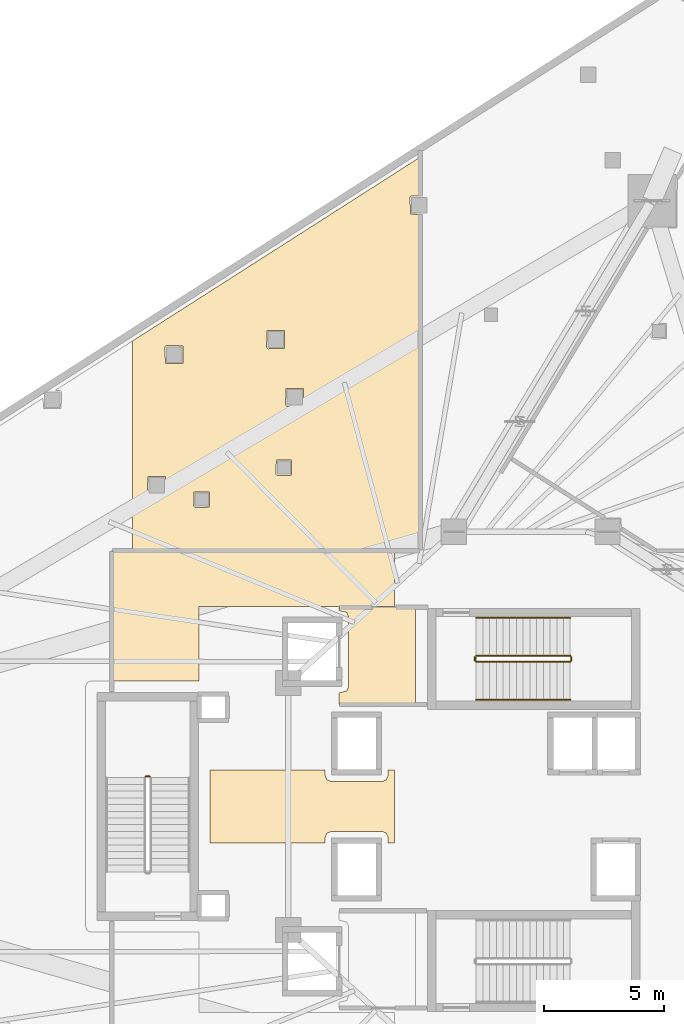
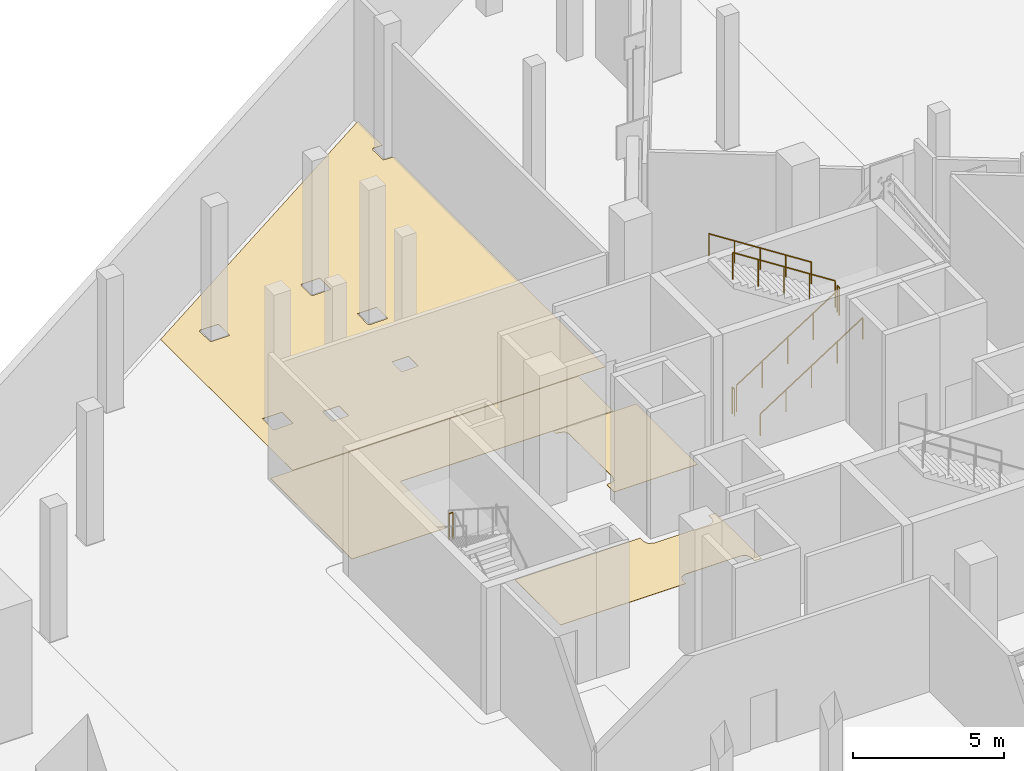
# One storey, part 11 of 12: 7 railings, 4 coverings.
"""IFC4 building model written with IfcOpenShell, lengths in metres."""

from ifc_helpers import new_model, si_unit, direction, frame, origin, origin_2d, place, context, subcontext, project, spatial, polyline, circle, outline, extrude, material, layer, layer_set, type_object, element, save


model = new_model("IFC4")

# Units and contexts
model_context = context("Model", 3, precision=1e-05, world=origin(), true_north=direction((0.0, 1.0)))
body_context = subcontext(model_context, "Body", "Model", "MODEL_VIEW")
ifc_project = project(units=[si_unit("LENGTHUNIT", "METRE"), si_unit("AREAUNIT", "SQUARE_METRE"), si_unit("VOLUMEUNIT", "CUBIC_METRE"), si_unit("PLANEANGLEUNIT", "RADIAN"), si_unit("MASSUNIT", "GRAM", prefix="KILO")], contexts=[model_context])

# Site, building, storey
site_placement = place(None, origin())
site = spatial("IfcSite", under=ifc_project, at=site_placement, CompositionType="ELEMENT")
building_placement = place(site_placement, origin())
building = spatial("IfcBuilding", under=site, at=building_placement, Name="Qorvath Tower", CompositionType="ELEMENT")
storey_placement = place(building_placement, frame((0.0, 0.0, 99.60009765625)))
storey = spatial("IfcBuildingStorey", under=building, at=storey_placement, Name="L22", CompositionType="ELEMENT", Elevation=99.60009765625)

# Coverings
ifc_material_1 = material(Name="Low-VOC modular carpet tile", Category="textile")
ifc_layer_1 = layer(ifc_material_1, 0.014892578125)
ifc_layer_set_1 = layer_set([ifc_layer_1], Name="COV-FLOOR-CPT")
covering_type_1 = type_object("IfcCoveringType", Name="COV-FLOOR-CPT", PredefinedType="FLOORING", material=ifc_layer_set_1)
covering_1_placement = place(storey_placement, origin())
element("IfcCovering", 1, at=covering_1_placement, inside=storey, type_object=covering_type_1, Name="L22 Floor Finish 008", PredefinedType="FLOORING", context=body_context, shape_type="SweptSolid", body=[
    extrude(outline(polyline([(-25.0048828125, 25.44384765625), (-25.0048828125, 27.061767578125), (-36.98681640625, 19.40380859375), (-36.98681640625, 10.6630859375), (-25.0048828125, 10.6630859375), (-25.0048828125, 24.673828125), (-25.405029296875, 24.69140625), (-25.422607421875, 25.3837890625), (-25.362548828125, 25.44384765625), (-25.0048828125, 25.44384765625)]), holes=[polyline([(-30.60986328125, 16.734619140625), (-30.59228515625, 17.427001953125), (-29.857421875, 17.427001953125), (-29.857421875, 16.692138671875), (-30.5498046875, 16.674560546875), (-30.60986328125, 16.734619140625)]), polyline([(-31.01220703125, 13.849365234375), (-30.99462890625, 14.441650390625), (-30.35986328125, 14.441650390625), (-30.35986328125, 13.806884765625), (-30.9521484375, 13.789306640625), (-31.01220703125, 13.849365234375)]), polyline([(-31.401123046875, 19.135498046875), (-31.383544921875, 19.827880859375), (-30.648681640625, 19.827880859375), (-30.648681640625, 19.093017578125), (-31.341064453125, 19.075439453125), (-31.401123046875, 19.135498046875)]), polyline([(-34.439208984375, 12.517578125), (-34.421630859375, 13.10986328125), (-33.786865234375, 13.10986328125), (-33.786865234375, 12.47509765625), (-34.379150390625, 12.45751953125), (-34.439208984375, 12.517578125)]), polyline([(-35.63671875, 19.154296875), (-35.57666015625, 19.21435546875), (-34.88427734375, 19.19677734375), (-34.88427734375, 18.4619140625), (-35.619140625, 18.4619140625), (-35.63671875, 19.154296875)]), polyline([(-36.36572265625, 13.055908203125), (-36.34814453125, 13.748291015625), (-35.61328125, 13.748291015625), (-35.61328125, 13.013427734375), (-36.3056640625, 12.995849609375), (-36.36572265625, 13.055908203125)])]), origin(), (0.0, 0.0, 1.0), 0.014892578125),
])
ifc_material_2 = material(Name="Polished epoxy terrazzo flooring", Category="concrete")
ifc_layer_2 = layer(ifc_material_2, 0.02001953125)
ifc_layer_set_2 = layer_set([ifc_layer_2], Name="COV-FLOOR-TRZ")
covering_type_2 = type_object("IfcCoveringType", Name="COV-FLOOR-TRZ", PredefinedType="FLOORING", material=ifc_layer_set_2)
covering_2_placement = place(storey_placement, origin())
element("IfcCovering", 2, at=covering_2_placement, inside=storey, type_object=covering_type_2, Name="L22 Floor Finish 001", PredefinedType="FLOORING", context=body_context, shape_type="SweptSolid", body=[
    extrude(outline(polyline([(-25.18994140625, 4.2548828125), (-25.18994140625, 8.294921875), (-28.375, 8.294921875), (-28.375, 8.159912109375), (-28.063232421875, 8.086669921875), (-27.989990234375, 7.909912109375), (-27.989990234375, 4.989990234375), (-28.063232421875, 4.813232421875), (-28.375, 4.739990234375), (-28.375, 4.2548828125), (-25.18994140625, 4.2548828125)])), origin(), (0.0, 0.0, 1.0), 0.014892578125),
])
covering_3_placement = place(storey_placement, origin())
element("IfcCovering", 3, at=covering_3_placement, inside=storey, type_object=covering_type_2, Name="L22 Floor Finish 004", PredefinedType="FLOORING", context=body_context, shape_type="SweptSolid", body=[
    extrude(outline(polyline([(-26.06494140625, 8.324951171875), (-26.06494140625, 10.64501953125), (-37.844970703125, 10.64501953125), (-37.844970703125, 5.239990234375), (-34.22509765625, 5.239990234375), (-34.219970703125, 8.324951171875), (-26.06494140625, 8.324951171875)])), origin(), (0.0, 0.0, 1.0), 0.014892578125),
])
covering_4_placement = place(storey_placement, origin())
element("IfcCovering", 4, at=covering_4_placement, inside=storey, type_object=covering_type_2, Name="L22 Floor Finish 005", PredefinedType="FLOORING", context=body_context, shape_type="SweptSolid", body=[
    extrude(outline(polyline([(-26.06494140625, -1.514892578125), (-26.06494140625, 1.514892578125), (-26.340087890625, 1.514892578125), (-26.340087890625, 1.2900390625), (-26.413330078125, 1.11328125), (-26.590087890625, 1.0400390625), (-28.7099609375, 1.0400390625), (-28.88671875, 1.11328125), (-28.9599609375, 1.2900390625), (-28.9599609375, 1.514892578125), (-33.760009765625, 1.514892578125), (-33.760009765625, -1.514892578125), (-28.9599609375, -1.514892578125), (-28.9599609375, -1.2900390625), (-28.88671875, -1.11328125), (-28.7099609375, -1.0400390625), (-26.590087890625, -1.0400390625), (-26.413330078125, -1.11328125), (-26.340087890625, -1.2900390625), (-26.340087890625, -1.514892578125), (-26.06494140625, -1.514892578125)])), origin(), (0.0, 0.0, 1.0), 0.014892578125),
])

# Railings
ifc_material_3 = material(Name="Painted galvanised steel", Category="steel")
railing_type_1 = type_object("IfcRailingType", Name="RL-STR-GRD", PredefinedType="GUARDRAIL", material=ifc_material_3)
railing_1_placement = place(storey_placement, frame((-22.669921875, 6.030029296875, 0.179931640625)))
element("IfcRailing", 5, at=railing_1_placement, inside=storey, type_object=railing_type_1, Name="L22 TS1 stair guard 1", PredefinedType="GUARDRAIL", context=body_context, shape_type="SweptSolid", body=[
    extrude(circle(Radius=0.02392578125, at=origin_2d()), frame((0.0, 0.0, 1.076171875), z_axis=(0.841171666519, 0.0, 0.540768182723), x_axis=(0.0, 1.0, 0.0)), (0.0, 0.0, 1.0), 4.66015625),
    extrude(circle(Radius=0.02099609375, at=origin_2d()), origin(), (0.0, 0.0, 1.0), 1.052001953125),
    extrude(circle(Radius=0.02099609375, at=origin_2d()), frame((0.97998046875, 0.0, 0.6298828125)), (0.0, 0.0, 1.0), 1.052001953125),
    extrude(circle(Radius=0.02099609375, at=origin_2d()), frame((1.9599609375, 0.0, 1.260009765625)), (0.0, 0.0, 1.0), 1.052001953125),
    extrude(circle(Radius=0.02099609375, at=origin_2d()), frame((2.93994140625, 0.0, 1.89013671875)), (0.0, 0.0, 1.0), 1.052001953125),
    extrude(circle(Radius=0.02099609375, at=origin_2d()), frame((3.919921875, 0.0, 2.52001953125)), (0.0, 0.0, 1.0), 1.052001953125),
])
railing_2_placement = place(storey_placement, frame((-18.699951171875, 6.080078125, 2.699951171875)))
element("IfcRailing", 6, at=railing_2_placement, inside=storey, type_object=railing_type_1, Name="L22 TS1 stair guard 2", PredefinedType="GUARDRAIL", context=body_context, shape_type="SweptSolid", body=[
    extrude(circle(Radius=0.02392578125, at=origin_2d()), frame((0.0, 0.0, 1.076171875), z_axis=(0.0, 1.0, 0.0), x_axis=(-1.0, 0.0, 0.0)), (0.0, 0.0, 1.0), 0.14990234375),
    extrude(circle(Radius=0.02099609375, at=origin_2d()), origin(), (0.0, 0.0, 1.0), 1.052001953125),
    extrude(circle(Radius=0.02099609375, at=origin_2d()), frame((0.0, 0.14990234375, 0.0)), (0.0, 0.0, 1.0), 1.052001953125),
])
railing_3_placement = place(storey_placement, frame((-18.75, 6.280029296875, 2.8798828125)))
element("IfcRailing", 7, at=railing_3_placement, inside=storey, type_object=railing_type_1, Name="L22 TS1 stair guard 3", PredefinedType="GUARDRAIL", context=body_context, shape_type="SweptSolid", body=[
    extrude(circle(Radius=0.02392578125, at=origin_2d()), frame((0.0, 0.0, 1.076171875), z_axis=(-0.841171666519, 0.0, 0.540768182723), x_axis=(0.0, -1.0, 0.0)), (0.0, 0.0, 1.0), 4.66015625),
    extrude(circle(Radius=0.02099609375, at=origin_2d()), origin(), (0.0, 0.0, 1.0), 1.052001953125),
    extrude(circle(Radius=0.02099609375, at=origin_2d()), frame((-0.97998046875, 0.0, 0.6298828125)), (0.0, 0.0, 1.0), 1.052001953125),
    extrude(circle(Radius=0.02099609375, at=origin_2d()), frame((-1.9599609375, 0.0, 1.260009765625)), (0.0, 0.0, 1.0), 1.052001953125),
    extrude(circle(Radius=0.02099609375, at=origin_2d()), frame((-2.93994140625, 0.0, 1.89013671875)), (0.0, 0.0, 1.0), 1.052001953125),
    extrude(circle(Radius=0.02099609375, at=origin_2d()), frame((-3.919921875, 0.0, 2.52001953125)), (0.0, 0.0, 1.0), 1.052001953125),
])
railing_4_placement = place(storey_placement, frame((-22.719970703125, 6.080078125, 0.0)))
element("IfcRailing", 8, at=railing_4_placement, inside=storey, type_object=railing_type_1, Name="L22 TS1 stair guard 4", PredefinedType="GUARDRAIL", context=body_context, shape_type="SweptSolid", body=[
    extrude(circle(Radius=0.02392578125, at=origin_2d()), frame((0.0, 0.0, 1.076171875), z_axis=(0.0, 1.0, 0.0), x_axis=(-1.0, 0.0, 0.0)), (0.0, 0.0, 1.0), 0.14990234375),
    extrude(circle(Radius=0.02099609375, at=origin_2d()), origin(), (0.0, 0.0, 1.0), 1.052001953125),
    extrude(circle(Radius=0.02099609375, at=origin_2d()), frame((0.0, 0.14990234375, 0.0)), (0.0, 0.0, 1.0), 1.052001953125),
])
railing_5_placement = place(storey_placement, frame((-36.280029296875, 1.25, 2.699951171875)))
element("IfcRailing", 9, at=railing_5_placement, inside=storey, type_object=railing_type_1, Name="L22 TS3 stair guard 2", PredefinedType="GUARDRAIL", context=body_context, shape_type="SweptSolid", body=[
    extrude(circle(Radius=0.02392578125, at=origin_2d()), frame((0.0, 0.0, 1.076171875), z_axis=(-1.0, 0.0, 0.0), x_axis=(0.0, -1.0, 0.0)), (0.0, 0.0, 1.0), 0.14990234375),
    extrude(circle(Radius=0.02099609375, at=origin_2d()), origin(), (0.0, 0.0, 1.0), 1.052001953125),
    extrude(circle(Radius=0.02099609375, at=origin_2d()), frame((-0.14990234375, 0.0, 0.0)), (0.0, 0.0, 1.0), 1.052001953125),
])
ifc_material_4 = material(Name="Brushed stainless steel AISI 304", Category="steel")
railing_type_2 = type_object("IfcRailingType", Name="RL-STR-HND", PredefinedType="HANDRAIL", material=ifc_material_4)
railing_6_placement = place(storey_placement, frame((-22.669921875, 4.449951171875, 0.179931640625)))
element("IfcRailing", 10, at=railing_6_placement, inside=storey, type_object=railing_type_2, Name="L22 TS1 stair handrail 1", PredefinedType="HANDRAIL", context=body_context, shape_type="SweptSolid", body=[
    extrude(circle(Radius=0.02392578125, at=origin_2d()), frame((0.0, 0.0, 0.8759765625), z_axis=(0.841171666519, 0.0, 0.540768182723), x_axis=(0.0, 1.0, 0.0)), (0.0, 0.0, 1.0), 4.66015625),
    extrude(circle(Radius=0.02099609375, at=origin_2d()), origin(), (0.0, 0.0, 1.0), 0.851806640625),
    extrude(circle(Radius=0.02099609375, at=origin_2d()), frame((0.97998046875, 0.0, 0.6298828125)), (0.0, 0.0, 1.0), 0.851806640625),
    extrude(circle(Radius=0.02099609375, at=origin_2d()), frame((1.9599609375, 0.0, 1.260009765625)), (0.0, 0.0, 1.0), 0.851806640625),
    extrude(circle(Radius=0.02099609375, at=origin_2d()), frame((2.93994140625, 0.0, 1.89013671875)), (0.0, 0.0, 1.0), 0.851806640625),
    extrude(circle(Radius=0.02099609375, at=origin_2d()), frame((3.919921875, 0.0, 2.52001953125)), (0.0, 0.0, 1.0), 0.851806640625),
])
railing_7_placement = place(storey_placement, frame((-18.75, 7.860107421875, 2.8798828125)))
element("IfcRailing", 11, at=railing_7_placement, inside=storey, type_object=railing_type_2, Name="L22 TS1 stair handrail 2", PredefinedType="HANDRAIL", context=body_context, shape_type="SweptSolid", body=[
    extrude(circle(Radius=0.02392578125, at=origin_2d()), frame((0.0, 0.0, 0.8759765625), z_axis=(-0.841171666519, 0.0, 0.540768182723), x_axis=(0.0, -1.0, 0.0)), (0.0, 0.0, 1.0), 4.66015625),
    extrude(circle(Radius=0.02099609375, at=origin_2d()), origin(), (0.0, 0.0, 1.0), 0.851806640625),
    extrude(circle(Radius=0.02099609375, at=origin_2d()), frame((-0.97998046875, 0.0, 0.6298828125)), (0.0, 0.0, 1.0), 0.851806640625),
    extrude(circle(Radius=0.02099609375, at=origin_2d()), frame((-1.9599609375, 0.0, 1.260009765625)), (0.0, 0.0, 1.0), 0.851806640625),
    extrude(circle(Radius=0.02099609375, at=origin_2d()), frame((-2.93994140625, 0.0, 1.89013671875)), (0.0, 0.0, 1.0), 0.851806640625),
    extrude(circle(Radius=0.02099609375, at=origin_2d()), frame((-3.919921875, 0.0, 2.52001953125)), (0.0, 0.0, 1.0), 0.851806640625),
])

save(model, "model.ifc")
